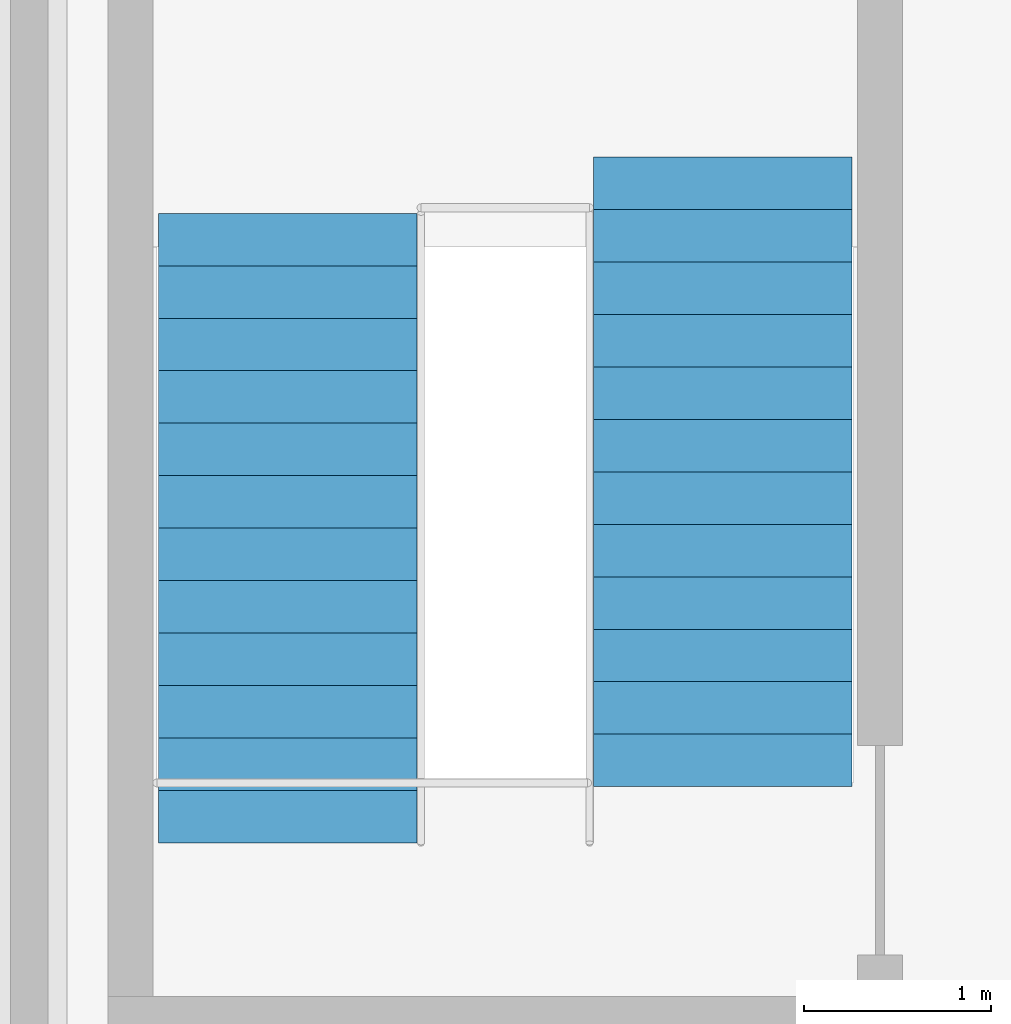
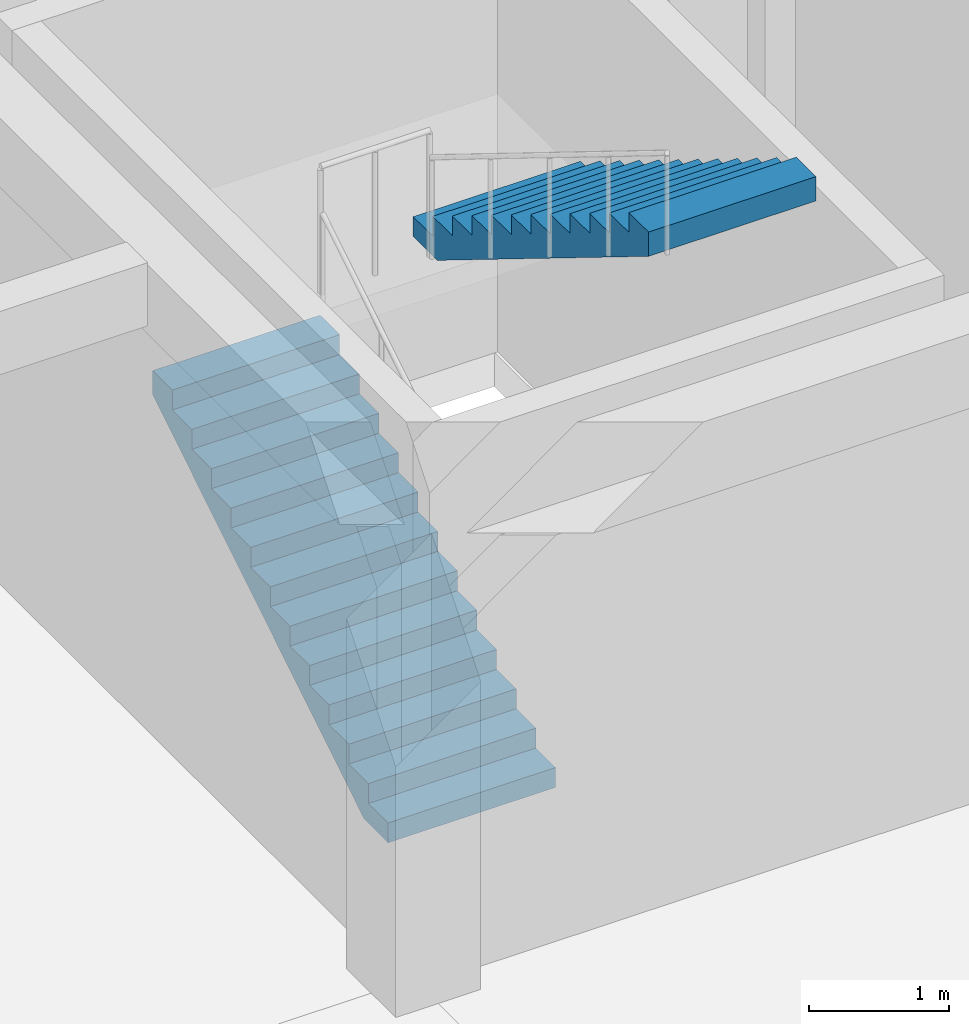
# One storey, part 72 of 81: 2 stair flights, 1 element without a shape of its own.
"""IFC4 building model written with IfcOpenShell, lengths in metres."""

from ifc_helpers import new_model, si_unit, direction, frame, origin, place, context, subcontext, project, spatial, polyline, outline, extrude, material, type_object, element, aggregate, save


model = new_model("IFC4")

# Units and contexts
model_context = context("Model", 3, precision=1e-05, world=origin(), true_north=direction((0.0, 1.0)))
body_context = subcontext(model_context, "Body", "Model", "MODEL_VIEW")
ifc_project = project(units=[si_unit("LENGTHUNIT", "METRE"), si_unit("AREAUNIT", "SQUARE_METRE"), si_unit("VOLUMEUNIT", "CUBIC_METRE"), si_unit("PLANEANGLEUNIT", "RADIAN"), si_unit("MASSUNIT", "GRAM", prefix="KILO")], contexts=[model_context])

# Site, building, storey
site_placement = place(None, origin())
site = spatial("IfcSite", under=ifc_project, at=site_placement, CompositionType="ELEMENT")
building_placement = place(site_placement, origin())
building = spatial("IfcBuilding", under=site, at=building_placement, Name="Kavelor Marine Aquarium", CompositionType="ELEMENT")
storey_placement = place(building_placement, frame((0.0, 0.0, 4.679931640625)))
storey = spatial("IfcBuildingStorey", under=building, at=storey_placement, Name="L01", CompositionType="ELEMENT", Elevation=4.679931640625)

# Stair, stair flights
ifc_material_1 = material(Name="Concrete C40/50", Category="concrete")
stair_type = type_object("IfcStairType", Name="ST-T2", PredefinedType="HALF_TURN_STAIR", material=ifc_material_1)
stair_placement = place(storey_placement, origin())
stair = element("IfcStair", 1, at=stair_placement, inside=storey, type_object=stair_type, Name="Exit Stair ST11 (L01)", PredefinedType="HALF_TURN_STAIR")
ifc_material_2 = material(Name="Concrete C40/50", Category="concrete")
stair_flight_type = type_object("IfcStairFlightType", Name="FLT-T2", PredefinedType="STRAIGHT", material=ifc_material_2)
stair_flight_1_placement = place(storey_placement, frame((141.3798828125, 69.159912109375, 0.0), z_axis=(0.0, 0.0, 1.0), x_axis=(0.0, 1.0, 0.0)))
stair_flight_1 = element("IfcStairFlight", 2, at=stair_flight_1_placement, type_object=stair_flight_type, Name="ST11 flight 1", NumberOfRisers=13, NumberOfTreads=12, PredefinedType="STRAIGHT", RiserHeight=0.173077, TreadLength=0.28, context=body_context, shape_type="SweptSolid", body=[
    extrude(outline(polyline([(0.0, 0.0), (0.0, 0.173095703125), (0.280029296875, 0.173095703125), (0.280029296875, 0.34619140625), (0.56005859375, 0.34619140625), (0.56005859375, 0.519287109375), (0.840087890625, 0.519287109375), (0.840087890625, 0.6923828125), (1.1201171875, 0.6923828125), (1.1201171875, 0.865478515625), (1.39990234375, 0.865478515625), (1.39990234375, 1.03857421875), (1.679931640625, 1.03857421875), (1.679931640625, 1.21142578125), (1.9599609375, 1.21142578125), (1.9599609375, 1.384521484375), (2.239990234375, 1.384521484375), (2.239990234375, 1.5576171875), (2.52001953125, 1.5576171875), (2.52001953125, 1.730712890625), (2.800048828125, 1.730712890625), (2.800048828125, 1.90380859375), (3.080078125, 1.90380859375), (3.080078125, 2.076904296875), (3.360107421875, 2.076904296875), (3.360107421875, 2.25), (3.360107421875, 1.865478515625), (0.34228515625, 0.0), (0.0, 0.0)])), frame((0.0, 0.68994140625, 0.0), z_axis=(0.0, -1.0, 0.0), x_axis=(1.0, 0.0, 0.0)), (0.0, 0.0, 1.0), 1.3798828125),
])
stair_flight_2_placement = place(storey_placement, frame((143.699951171875, 72.820068359375, 2.25), z_axis=(0.0, 0.0, 1.0), x_axis=(0.0, -1.0, 0.0)))
stair_flight_2 = element("IfcStairFlight", 3, at=stair_flight_2_placement, type_object=stair_flight_type, Name="ST11 flight 2", NumberOfRisers=13, NumberOfTreads=12, PredefinedType="STRAIGHT", RiserHeight=0.173077, TreadLength=0.28, context=body_context, shape_type="SweptSolid", body=[
    extrude(outline(polyline([(0.0, 0.0), (0.0, 0.173095703125), (0.280029296875, 0.173095703125), (0.280029296875, 0.34619140625), (0.56005859375, 0.34619140625), (0.56005859375, 0.519287109375), (0.840087890625, 0.519287109375), (0.840087890625, 0.6923828125), (1.1201171875, 0.6923828125), (1.1201171875, 0.865478515625), (1.39990234375, 0.865478515625), (1.39990234375, 1.03857421875), (1.679931640625, 1.03857421875), (1.679931640625, 1.21142578125), (1.9599609375, 1.21142578125), (1.9599609375, 1.384521484375), (2.239990234375, 1.384521484375), (2.239990234375, 1.5576171875), (2.52001953125, 1.5576171875), (2.52001953125, 1.730712890625), (2.800048828125, 1.730712890625), (2.800048828125, 1.90380859375), (3.080078125, 1.90380859375), (3.080078125, 2.076904296875), (3.360107421875, 2.076904296875), (3.360107421875, 2.25), (3.360107421875, 1.865478515625), (0.34228515625, 0.0), (0.0, 0.0)])), frame((0.0, 0.68994140625, 0.0), z_axis=(0.0, -1.0, 0.0), x_axis=(1.0, 0.0, 0.0)), (0.0, 0.0, 1.0), 1.3798828125),
])
aggregate(stair, [stair_flight_1, stair_flight_2])

save(model, "model.ifc")
